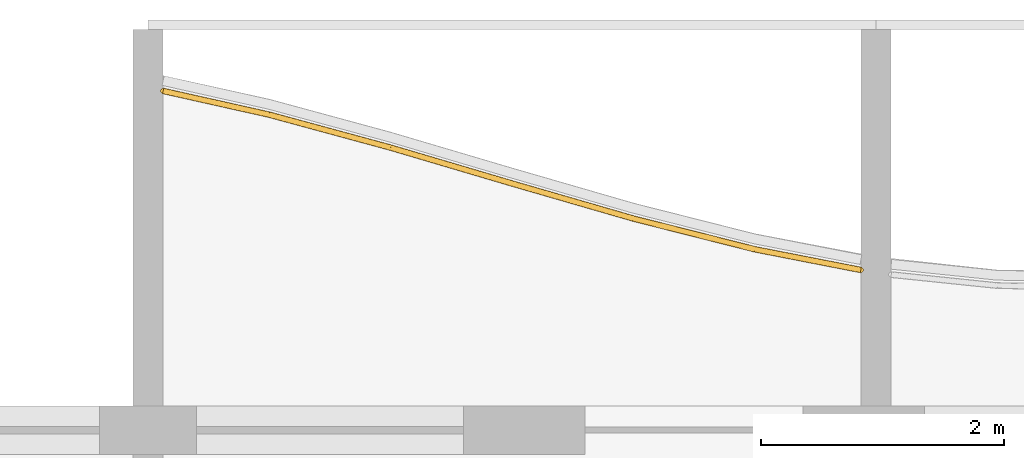
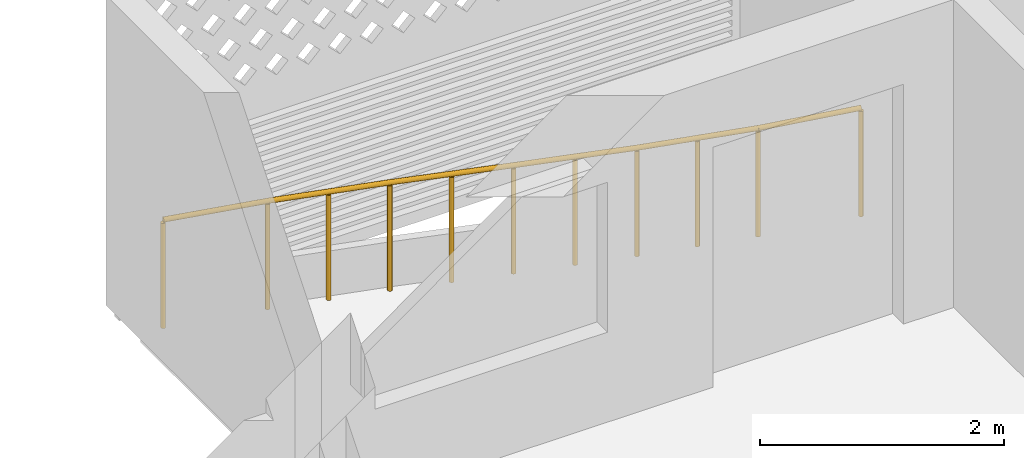
# One storey, part 24 of 27: 1 railing.
"""IFC4 building model written with IfcOpenShell, lengths in metres."""

from ifc_helpers import new_model, si_unit, direction, frame, origin, origin_2d, place, context, subcontext, project, spatial, circle, extrude, material, type_object, element, save


model = new_model("IFC4")

# Units and contexts
model_context = context("Model", 3, precision=1e-05, world=origin(), true_north=direction((0.0, 1.0)))
body_context = subcontext(model_context, "Body", "Model", "MODEL_VIEW")
ifc_project = project(units=[si_unit("LENGTHUNIT", "METRE"), si_unit("AREAUNIT", "SQUARE_METRE"), si_unit("VOLUMEUNIT", "CUBIC_METRE"), si_unit("PLANEANGLEUNIT", "RADIAN"), si_unit("MASSUNIT", "GRAM", prefix="KILO")], contexts=[model_context])

# Site, building, storey
site_placement = place(None, origin())
site = spatial("IfcSite", under=ifc_project, at=site_placement, CompositionType="ELEMENT")
building_placement = place(site_placement, origin())
building = spatial("IfcBuilding", under=site, at=building_placement, Name="Poui Terraces", CompositionType="ELEMENT")
storey_placement = place(building_placement, frame((0.0, 0.0, 195.0)))
storey = spatial("IfcBuildingStorey", under=building, at=storey_placement, Name="L54", CompositionType="ELEMENT", Elevation=195.0)

# Railing
ifc_material = material(Name="Painted steel fretwork", Category="steel")
railing_type = type_object("IfcRailingType", Name="BALCONY GUARD 1100", PredefinedType="GUARDRAIL", material=ifc_material)
railing_placement = place(storey_placement, frame((66.125, 43.99560546875, 0.0)))
element("IfcRailing", 1, at=railing_placement, inside=storey, type_object=railing_type, Name="BALCONY GUARD", PredefinedType="GUARDRAIL", context=body_context, shape_type="SweptSolid", body=[
    extrude(circle(Radius=0.02392578125, at=origin_2d()), frame((0.0, 0.0, 1.076171875), z_axis=(0.975865661819, -0.218371724548, 0.0), x_axis=(0.218371724548, 0.975865661819, 0.0)), (0.0, 0.0, 1.0), 0.896728515625),
    extrude(circle(Radius=0.02392578125, at=origin_2d()), frame((0.875, -0.19580078125, 1.076171875), z_axis=(0.965067658743, -0.262000790167, 0.0), x_axis=(0.262000790167, 0.965067658743, 0.0)), (0.0, 0.0, 1.0), 1.0361328125),
    extrude(circle(Radius=0.02392578125, at=origin_2d()), frame((1.875, -0.46728515625, 1.076171875), z_axis=(0.959029275123, -0.283306988012, 0.0), x_axis=(0.283306988012, 0.959029275123, 0.0)), (0.0, 0.0, 1.0), 1.042724609375),
    extrude(circle(Radius=0.02392578125, at=origin_2d()), frame((2.875, -0.7626953125, 1.076171875), z_axis=(0.960669700127, -0.277693585193, 0.0), x_axis=(0.277693585193, 0.960669700127, 0.0)), (0.0, 0.0, 1.0), 1.041015625),
    extrude(circle(Radius=0.02392578125, at=origin_2d()), frame((3.875, -1.0517578125, 1.076171875), z_axis=(0.969470524151, -0.245207876714, 0.0), x_axis=(0.245207876714, 0.969470524151, 0.0)), (0.0, 0.0, 1.0), 1.031494140625),
    extrude(circle(Radius=0.02392578125, at=origin_2d()), frame((4.875, -1.3046875, 1.076171875), z_axis=(0.981455423077, -0.19169051232, 0.0), x_axis=(0.19169051232, 0.981455423077, 0.0)), (0.0, 0.0, 1.0), 0.8916015625),
    extrude(circle(Radius=0.02099609375, at=origin_2d()), origin(), (0.0, 0.0, 1.0), 1.052001953125),
    extrude(circle(Radius=0.02099609375, at=origin_2d()), frame((0.875, -0.19580078125, 0.0)), (0.0, 0.0, 1.0), 1.052001953125),
    extrude(circle(Radius=0.02099609375, at=origin_2d()), frame((1.375, -0.33154296875, 0.0)), (0.0, 0.0, 1.0), 1.052001953125),
    extrude(circle(Radius=0.02099609375, at=origin_2d()), frame((1.875, -0.46728515625, 0.0)), (0.0, 0.0, 1.0), 1.052001953125),
    extrude(circle(Radius=0.02099609375, at=origin_2d()), frame((2.375, -0.614990234375, 0.0)), (0.0, 0.0, 1.0), 1.052001953125),
    extrude(circle(Radius=0.02099609375, at=origin_2d()), frame((2.875, -0.7626953125, 0.0)), (0.0, 0.0, 1.0), 1.052001953125),
    extrude(circle(Radius=0.02099609375, at=origin_2d()), frame((3.375, -0.9072265625, 0.0)), (0.0, 0.0, 1.0), 1.052001953125),
    extrude(circle(Radius=0.02099609375, at=origin_2d()), frame((3.875, -1.0517578125, 0.0)), (0.0, 0.0, 1.0), 1.052001953125),
    extrude(circle(Radius=0.02099609375, at=origin_2d()), frame((4.375, -1.17822265625, 0.0)), (0.0, 0.0, 1.0), 1.052001953125),
    extrude(circle(Radius=0.02099609375, at=origin_2d()), frame((4.875, -1.3046875, 0.0)), (0.0, 0.0, 1.0), 1.052001953125),
    extrude(circle(Radius=0.02099609375, at=origin_2d()), frame((5.75, -1.4755859375, 0.0)), (0.0, 0.0, 1.0), 1.052001953125),
])

save(model, "model.ifc")
